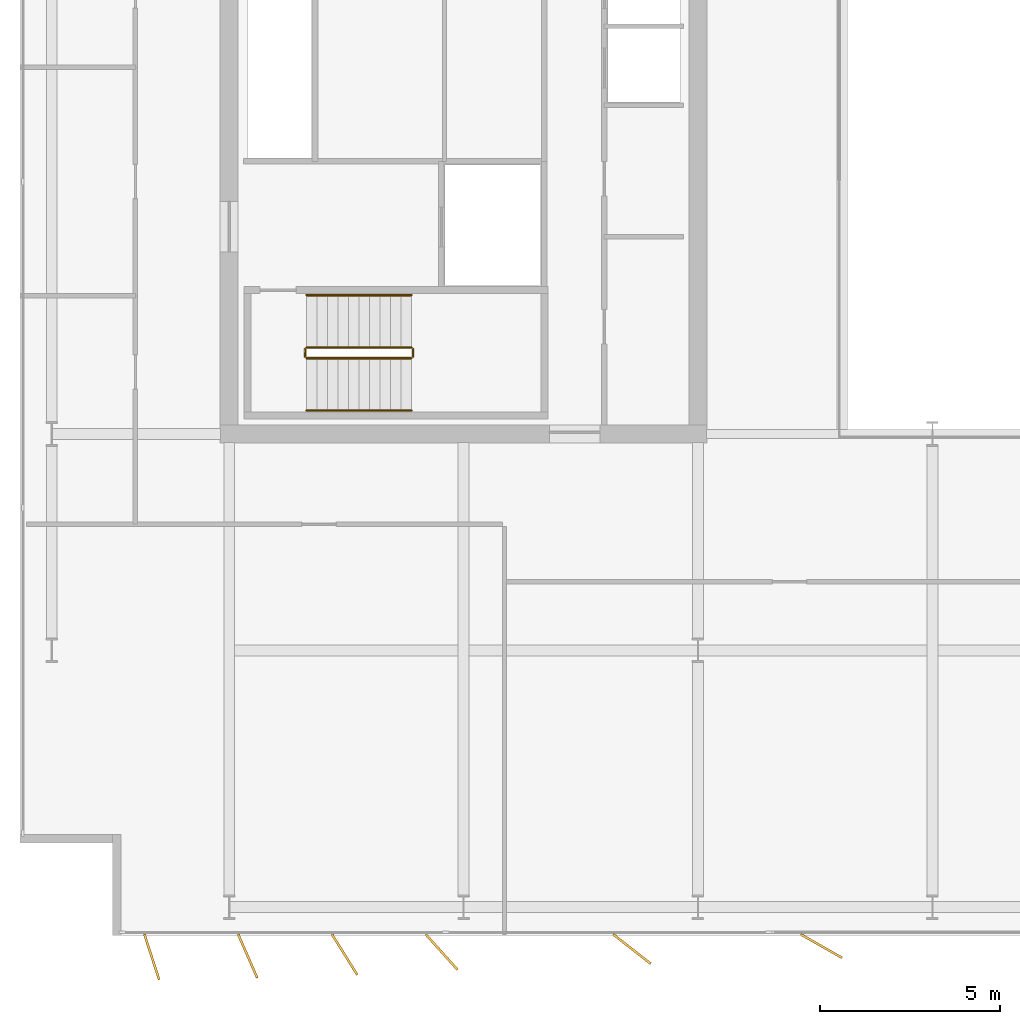
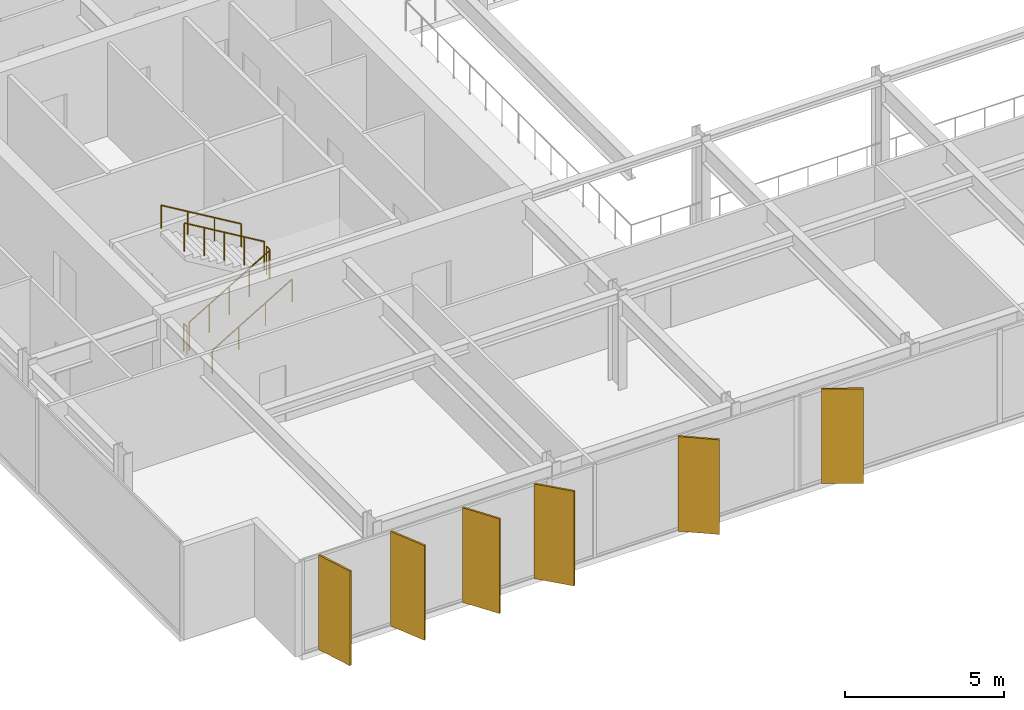
# One storey, part 16 of 19: 6 railings, 6 shading devices.
"""IFC4 building model written with IfcOpenShell, lengths in metres."""

from ifc_helpers import new_model, si_unit, direction, frame, origin, origin_2d, place, context, subcontext, project, spatial, rectangle, circle, extrude, material, layer, layer_set, type_object, element, save


model = new_model("IFC4")

# Units and contexts
model_context = context("Model", 3, precision=1e-05, world=origin(), true_north=direction((0.0, 1.0)))
body_context = subcontext(model_context, "Body", "Model", "MODEL_VIEW")
ifc_project = project(units=[si_unit("LENGTHUNIT", "METRE"), si_unit("AREAUNIT", "SQUARE_METRE"), si_unit("VOLUMEUNIT", "CUBIC_METRE"), si_unit("PLANEANGLEUNIT", "RADIAN"), si_unit("MASSUNIT", "GRAM", prefix="KILO")], contexts=[model_context])

# Site, building, storey
site_placement = place(None, origin())
site = spatial("IfcSite", under=ifc_project, at=site_placement, CompositionType="ELEMENT")
building_placement = place(site_placement, origin())
building = spatial("IfcBuilding", under=site, at=building_placement, Name="Putna Gate Headquarters", CompositionType="ELEMENT")
storey_placement = place(building_placement, frame((0.0, 0.0, 263.199951171875)))
storey = spatial("IfcBuildingStorey", under=building, at=storey_placement, Name="L66", CompositionType="ELEMENT", Elevation=263.199951171875)

# Railings
ifc_material_1 = material(Name="Powder-coated steel stair guardrail", Category="steel")
railing_type_1 = type_object("IfcRailingType", Name="RAIL-STAIR-GUARD-1100", PredefinedType="GUARDRAIL", material=ifc_material_1)
railing_1_placement = place(storey_placement, frame((15.14990234375, 21.10009765625, 0.1728515625)))
element("IfcRailing", 1, at=railing_1_placement, inside=storey, type_object=railing_type_1, Name="L66 ST1 stair guard 1", PredefinedType="GUARDRAIL", context=body_context, shape_type="SweptSolid", body=[
    extrude(circle(Radius=0.02392578125, at=origin_2d()), frame((0.0, 0.0, 1.076171875), z_axis=(0.859160404282, 0.0, 0.51170636083), x_axis=(0.0, 1.0, 0.0)), (0.0, 0.0, 1.0), 3.37548828125),
    extrude(circle(Radius=0.02099609375, at=origin_2d()), origin(), (0.0, 0.0, 1.0), 1.052001953125),
    extrude(circle(Radius=0.02099609375, at=origin_2d()), frame((0.72509765625, 0.0, 0.431884765625)), (0.0, 0.0, 1.0), 1.052001953125),
    extrude(circle(Radius=0.02099609375, at=origin_2d()), frame((1.4501953125, 0.0, 0.86376953125)), (0.0, 0.0, 1.0), 1.052001953125),
    extrude(circle(Radius=0.02099609375, at=origin_2d()), frame((2.175048828125, 0.0, 1.29541015625)), (0.0, 0.0, 1.0), 1.052001953125),
    extrude(circle(Radius=0.02099609375, at=origin_2d()), frame((2.900146484375, 0.0, 1.727294921875)), (0.0, 0.0, 1.0), 1.052001953125),
])
railing_2_placement = place(storey_placement, frame((18.10009765625, 21.14990234375, 1.900146484375)))
element("IfcRailing", 2, at=railing_2_placement, inside=storey, type_object=railing_type_1, Name="L66 ST1 stair guard 2", PredefinedType="GUARDRAIL", context=body_context, shape_type="SweptSolid", body=[
    extrude(circle(Radius=0.02392578125, at=origin_2d()), frame((0.0, 0.0, 1.076171875), z_axis=(0.0, 1.0, 0.0), x_axis=(-1.0, 0.0, 0.0)), (0.0, 0.0, 1.0), 0.2001953125),
    extrude(circle(Radius=0.02099609375, at=origin_2d()), origin(), (0.0, 0.0, 1.0), 1.052001953125),
    extrude(circle(Radius=0.02099609375, at=origin_2d()), frame((0.0, 0.2001953125, 0.0)), (0.0, 0.0, 1.0), 1.052001953125),
])
railing_3_placement = place(storey_placement, frame((18.050048828125, 21.39990234375, 2.07275390625)))
element("IfcRailing", 3, at=railing_3_placement, inside=storey, type_object=railing_type_1, Name="L66 ST1 stair guard 3", PredefinedType="GUARDRAIL", context=body_context, shape_type="SweptSolid", body=[
    extrude(circle(Radius=0.02392578125, at=origin_2d()), frame((0.0, 0.0, 1.076171875), z_axis=(-0.859160404282, 0.0, 0.51170636083), x_axis=(0.0, -1.0, 0.0)), (0.0, 0.0, 1.0), 3.37548828125),
    extrude(circle(Radius=0.02099609375, at=origin_2d()), origin(), (0.0, 0.0, 1.0), 1.052001953125),
    extrude(circle(Radius=0.02099609375, at=origin_2d()), frame((-0.72509765625, 0.0, 0.431884765625)), (0.0, 0.0, 1.0), 1.052001953125),
    extrude(circle(Radius=0.02099609375, at=origin_2d()), frame((-1.4501953125, 0.0, 0.86376953125)), (0.0, 0.0, 1.0), 1.052001953125),
    extrude(circle(Radius=0.02099609375, at=origin_2d()), frame((-2.175048828125, 0.0, 1.29541015625)), (0.0, 0.0, 1.0), 1.052001953125),
    extrude(circle(Radius=0.02099609375, at=origin_2d()), frame((-2.900146484375, 0.0, 1.727294921875)), (0.0, 0.0, 1.0), 1.052001953125),
])
railing_4_placement = place(storey_placement, frame((15.10009765625, 21.14990234375, 0.0)))
element("IfcRailing", 4, at=railing_4_placement, inside=storey, type_object=railing_type_1, Name="L66 ST1 stair guard 4", PredefinedType="GUARDRAIL", context=body_context, shape_type="SweptSolid", body=[
    extrude(circle(Radius=0.02392578125, at=origin_2d()), frame((0.0, 0.0, 1.076171875), z_axis=(0.0, 1.0, 0.0), x_axis=(-1.0, 0.0, 0.0)), (0.0, 0.0, 1.0), 0.2001953125),
    extrude(circle(Radius=0.02099609375, at=origin_2d()), origin(), (0.0, 0.0, 1.0), 1.052001953125),
    extrude(circle(Radius=0.02099609375, at=origin_2d()), frame((0.0, 0.2001953125, 0.0)), (0.0, 0.0, 1.0), 1.052001953125),
])
ifc_material_2 = material(Name="Brushed stainless steel handrail", Category="steel")
railing_type_2 = type_object("IfcRailingType", Name="RAIL-STAIR-HAND-900", PredefinedType="HANDRAIL", material=ifc_material_2)
railing_5_placement = place(storey_placement, frame((15.14990234375, 19.64990234375, 0.1728515625)))
element("IfcRailing", 5, at=railing_5_placement, inside=storey, type_object=railing_type_2, Name="L66 ST1 stair handrail 1", PredefinedType="HANDRAIL", context=body_context, shape_type="SweptSolid", body=[
    extrude(circle(Radius=0.02392578125, at=origin_2d()), frame((0.0, 0.0, 0.8759765625), z_axis=(0.859160404282, 0.0, 0.51170636083), x_axis=(0.0, 1.0, 0.0)), (0.0, 0.0, 1.0), 3.37548828125),
    extrude(circle(Radius=0.02099609375, at=origin_2d()), origin(), (0.0, 0.0, 1.0), 0.851806640625),
    extrude(circle(Radius=0.02099609375, at=origin_2d()), frame((0.966796875, 0.0, 0.57568359375)), (0.0, 0.0, 1.0), 0.851806640625),
    extrude(circle(Radius=0.02099609375, at=origin_2d()), frame((1.933349609375, 0.0, 1.151611328125)), (0.0, 0.0, 1.0), 0.851806640625),
    extrude(circle(Radius=0.02099609375, at=origin_2d()), frame((2.900146484375, 0.0, 1.727294921875)), (0.0, 0.0, 1.0), 0.851806640625),
])
railing_6_placement = place(storey_placement, frame((18.050048828125, 22.85009765625, 2.07275390625)))
element("IfcRailing", 6, at=railing_6_placement, inside=storey, type_object=railing_type_2, Name="L66 ST1 stair handrail 2", PredefinedType="HANDRAIL", context=body_context, shape_type="SweptSolid", body=[
    extrude(circle(Radius=0.02392578125, at=origin_2d()), frame((0.0, 0.0, 0.8759765625), z_axis=(-0.859160404282, 0.0, 0.51170636083), x_axis=(0.0, -1.0, 0.0)), (0.0, 0.0, 1.0), 3.37548828125),
    extrude(circle(Radius=0.02099609375, at=origin_2d()), origin(), (0.0, 0.0, 1.0), 0.851806640625),
    extrude(circle(Radius=0.02099609375, at=origin_2d()), frame((-0.966796875, 0.0, 0.57568359375)), (0.0, 0.0, 1.0), 0.851806640625),
    extrude(circle(Radius=0.02099609375, at=origin_2d()), frame((-1.933349609375, 0.0, 1.151611328125)), (0.0, 0.0, 1.0), 0.851806640625),
    extrude(circle(Radius=0.02099609375, at=origin_2d()), frame((-2.900146484375, 0.0, 1.727294921875)), (0.0, 0.0, 1.0), 0.851806640625),
])

# Shading devices
ifc_material_3 = material(Name="Anodised architectural bronze aluminium fin", Category="aluminium")
ifc_layer = layer(ifc_material_3, 0.06494140625)
ifc_layer_set = layer_set([ifc_layer], Name="Anodised architectural bronze aluminium fin")
shading_device_type = type_object("IfcShadingDeviceType", Name="SHADE-BRONZE-FIN-1320", PredefinedType="USERDEFINED", material=ifc_layer_set)
for number, where, z_axis, x_axis, name in (
    (7, (10.853759765625, 4.497314453125, -0.02001953125), (0.0, 0.0, 1.0), (0.308684994204, -0.951164325631, 0.0), "L66 Bronze Vertical Shading Fin S1"),
    (8, (13.514404296875, 4.520263671875, -0.02001953125), (0.0, 0.0, 1.0), (0.400668879095, -0.916222925562, 0.0), "L66 Bronze Vertical Shading Fin S2"),
    (9, (16.2001953125, 4.565673828125, -0.02001953125), (0.0, 0.0, 1.0), (0.530659123936, -0.847585331506, 0.0), "L66 Bronze Vertical Shading Fin S3"),
    (10, (18.8916015625, 4.634521484375, -0.02001953125), (0.0, 0.0, 1.0), (0.669130606359, -0.743144825477, 0.0), "L66 Bronze Vertical Shading Fin S4"),
    (11, (24.169677734375, 4.71826171875, -0.02001953125), (0.0, 0.0, 1.0), (0.787473187632, -0.616348909921, 0.0), "L66 Bronze Vertical Shading Fin S5"),
    (12, (29.423828125, 4.798828125, -0.02001953125), (0.0, 0.0, 1.0), (0.869322458298, -0.494245347472, 0.0), "L66 Bronze Vertical Shading Fin S6"),
):
    element("IfcShadingDevice", number, at=place(storey_placement, frame(where, z_axis=z_axis, x_axis=x_axis)), inside=storey, type_object=shading_device_type, Name=name, ObjectType="FIN", PredefinedType="USERDEFINED", context=body_context, shape_type="SweptSolid", body=[
        extrude(rectangle(XDim=1.320068359375, YDim=0.06494140625, at=origin_2d()), origin(), (0.0, 0.0, 1.0), 3.6279296875),
    ])

save(model, "model.ifc")
